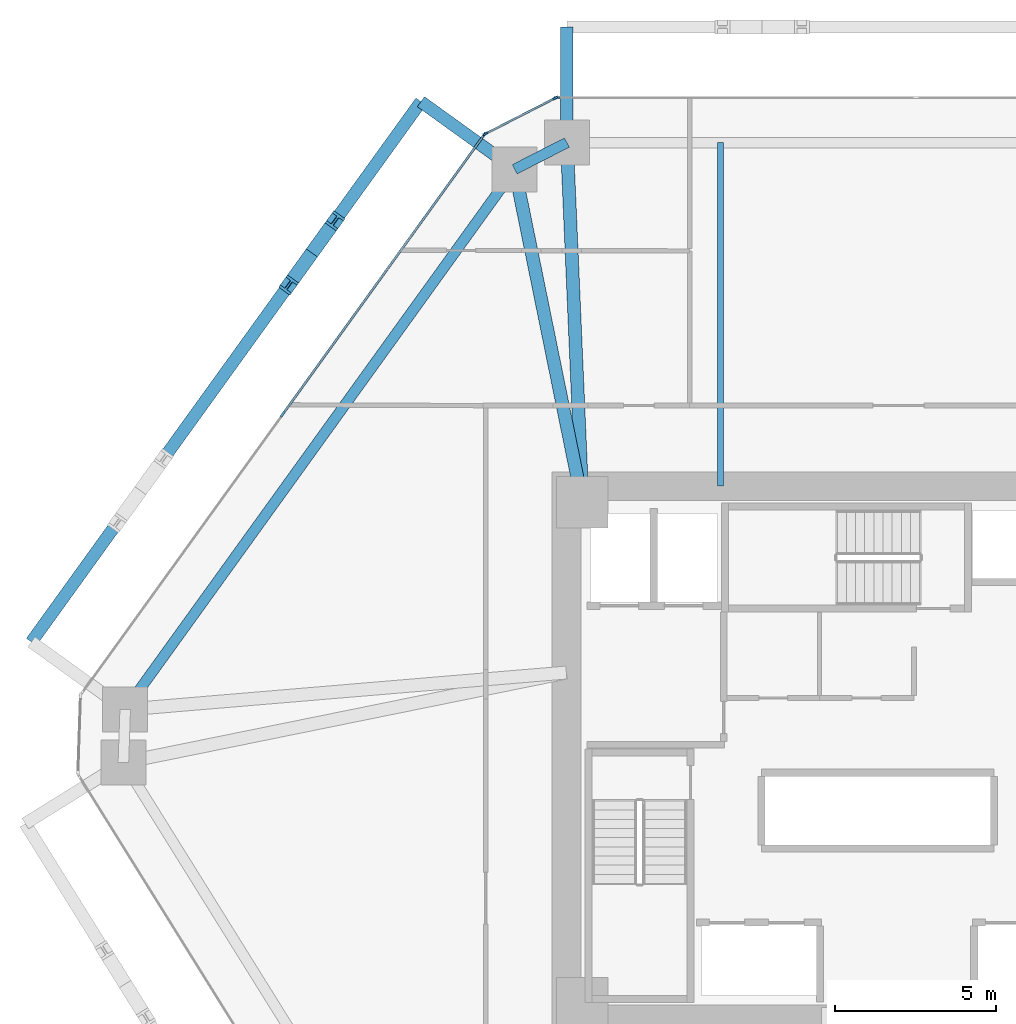
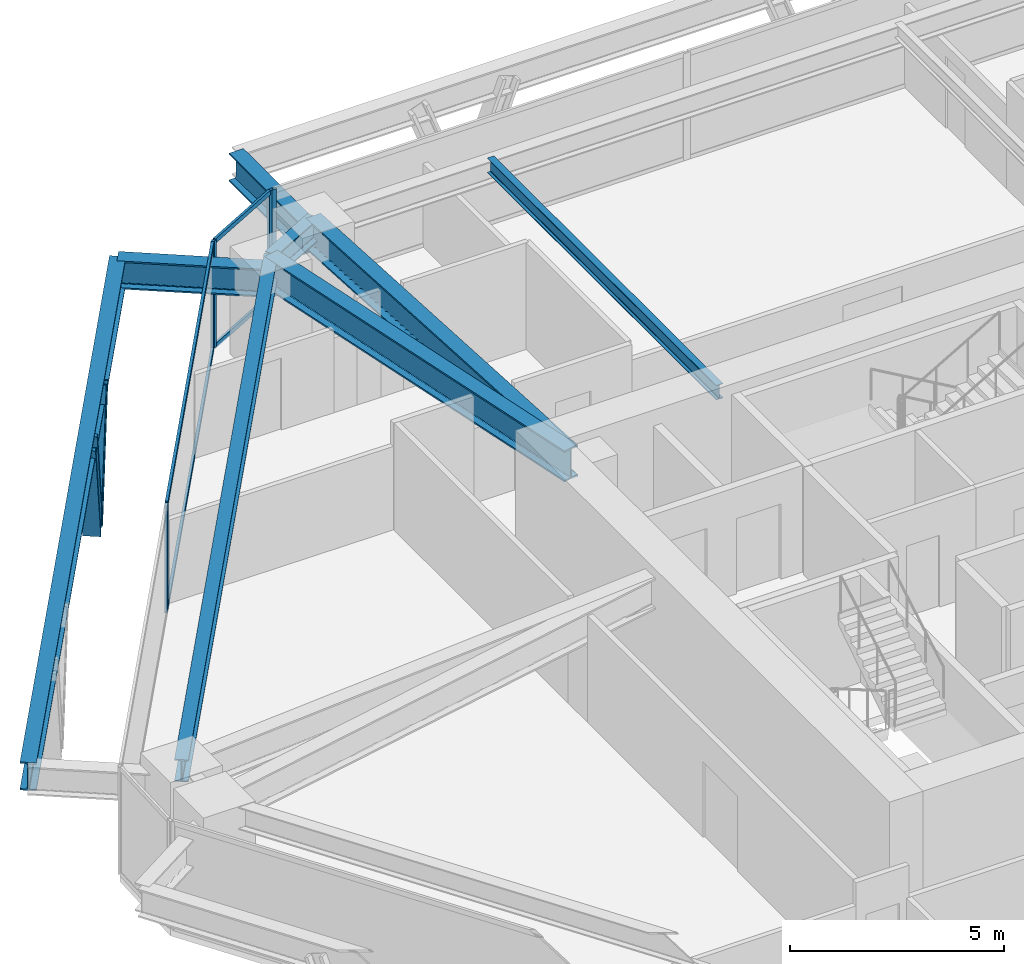
# One storey, part 7 of 15: 11 members, 8 beams, 3 elements without a shape of their own.
"""IFC4 building model written with IfcOpenShell, lengths in metres."""

from ifc_helpers import new_model, si_unit, direction, frame, origin, origin_2d, place, context, subcontext, project, spatial, rectangle, i_section, extrude, source, transform, mapped, material, layer, layer_set, material_profile, profile_set, type_object, type_shapes, element, aggregate, save


model = new_model("IFC4")

# Units and contexts
model_context = context("Model", 3, precision=1e-05, world=origin(), true_north=direction((0.0, 1.0)))
body_context = subcontext(model_context, "Body", "Model", "MODEL_VIEW")
ifc_project = project(units=[si_unit("LENGTHUNIT", "METRE"), si_unit("AREAUNIT", "SQUARE_METRE"), si_unit("VOLUMEUNIT", "CUBIC_METRE"), si_unit("PLANEANGLEUNIT", "RADIAN"), si_unit("MASSUNIT", "GRAM", prefix="KILO")], contexts=[model_context])

# Site, building, storey
site_placement = place(None, origin())
site = spatial("IfcSite", under=ifc_project, at=site_placement, CompositionType="ELEMENT")
building_placement = place(site_placement, origin())
building = spatial("IfcBuilding", under=site, at=building_placement, Name="Durnholm Broadcast Tower", CompositionType="ELEMENT")
storey_placement = place(building_placement, frame((0.0, 0.0, 62.10009765625)))
storey = spatial("IfcBuildingStorey", under=building, at=storey_placement, Name="L15", CompositionType="ELEMENT", Elevation=62.10009765625)

# Beams
ifc_material_1 = material(Name="Steel ASTM A992 Grade 50", Category="steel")
ifc_material_profile_1 = material_profile(ifc_material_1, i_section(OverallWidth=0.3291015625, OverallDepth=0.635009765625, WebThickness=0.017822265625, FlangeThickness=0.031005859375, FilletRadius=0.02783203125, at=origin_2d()), Name="W24X162")
ifc_profile_set_1 = profile_set([ifc_material_profile_1], Name="Steel ASTM A992 Grade 50")
beam_type_1 = type_object("IfcBeamType", Name="STL-SP-W24X162", PredefinedType="SPANDREL", material=ifc_profile_set_1)
shared_shape_1 = source(origin(), body_context, "Body", "SweptSolid", [
    extrude(i_section(OverallWidth=0.3291015625, OverallDepth=0.635009765625, WebThickness=0.017822265625, FlangeThickness=0.031005859375, FilletRadius=0.02783203125, at=origin_2d()), origin(), (0.0, 0.0, 1.0), 20.737060546875),
])
beam_1_placement = place(storey_placement, frame((-24.034912109375, 1.347412109375, 2.727294921875), z_axis=(0.584821933191, 0.811161701795, 0.0), x_axis=(-0.811161701795, 0.584821933191, 0.0)))
element("IfcBeam", 1, at=beam_1_placement, inside=storey, type_object=beam_type_1, Name="L15 perimeter spandrel girder 03", PredefinedType="SPANDREL", context=body_context, shape_type="MappedRepresentation", body=[
    mapped(shared_shape_1, transform((0.0, 0.0, 0.0), x_axis=(1.0, 0.0, 0.0), y_axis=(0.0, 1.0, 0.0), z_axis=(0.0, 0.0, 1.0), scale=1.0)),
])
shared_shape_2 = source(origin(), body_context, "Body", "SweptSolid", [
    extrude(i_section(OverallWidth=0.3291015625, OverallDepth=0.635009765625, WebThickness=0.017822265625, FlangeThickness=0.031005859375, FilletRadius=0.02783203125, at=origin_2d()), origin(), (0.0, 0.0, 1.0), 1.8251953125),
])
type_shapes(beam_type_1, [shared_shape_1, shared_shape_2])
beam_2_placement = place(storey_placement, frame((-11.907470703125, 18.16845703125, 2.727294921875), z_axis=(0.890187609501, 0.455594139438, 0.0), x_axis=(-0.455594139438, 0.890187609501, 0.0)))
element("IfcBeam", 2, at=beam_2_placement, inside=storey, type_object=beam_type_1, Name="L15 perimeter spandrel girder 04", PredefinedType="SPANDREL", context=body_context, shape_type="MappedRepresentation", body=[
    mapped(shared_shape_2, transform((0.0, 0.0, 0.0), x_axis=(1.0, 0.0, 0.0), y_axis=(0.0, 1.0, 0.0), z_axis=(0.0, 0.0, 1.0), scale=1.0)),
])
ifc_material_profile_2 = material_profile(ifc_material_1, i_section(OverallWidth=0.404052734375, OverallDepth=0.885009765625, WebThickness=0.0244140625, FlangeThickness=0.0439453125, FilletRadius=0.03564453125, at=origin_2d()), Name="W33X291")
ifc_profile_set_2 = profile_set([ifc_material_profile_2], Name="Steel ASTM A992 Grade 50")
beam_type_2 = type_object("IfcBeamType", Name="STL-GR-W33X291", PredefinedType="USERDEFINED", material=ifc_profile_set_2)
shared_shape_3 = source(origin(), body_context, "Body", "SweptSolid", [
    extrude(i_section(OverallWidth=0.404052734375, OverallDepth=0.885009765625, WebThickness=0.0244140625, FlangeThickness=0.0439453125, FilletRadius=0.03564453125, at=origin_2d()), origin(), (0.0, 0.0, 1.0), 10.580322265625),
])
beam_3_placement = place(storey_placement, frame((-9.800048828125, 7.800048828125, 2.6025390625), z_axis=(-0.199181458925, 0.979962625012, 0.0), x_axis=(-0.979962625012, -0.199181458925, 0.0)))
element("IfcBeam", 3, at=beam_3_placement, inside=storey, type_object=beam_type_2, Name="L15 radial primary floor girder 04", ObjectType="GIRDER", PredefinedType="USERDEFINED", context=body_context, shape_type="MappedRepresentation", body=[
    mapped(shared_shape_3, transform((0.0, 0.0, 0.0), x_axis=(1.0, 0.0, 0.0), y_axis=(0.0, 1.0, 0.0), z_axis=(0.0, 0.0, 1.0), scale=1.0)),
])
shared_shape_4 = source(origin(), body_context, "Body", "SweptSolid", [
    extrude(i_section(OverallWidth=0.404052734375, OverallDepth=0.885009765625, WebThickness=0.0244140625, FlangeThickness=0.0439453125, FilletRadius=0.03564453125, at=origin_2d()), origin(), (0.0, 0.0, 1.0), 11.21044921875),
])
type_shapes(beam_type_2, [shared_shape_3, shared_shape_4])
beam_4_placement = place(storey_placement, frame((-9.800048828125, 7.800048828125, 2.6025390625), z_axis=(-0.043055404914, 0.999072686098, 0.0), x_axis=(-0.999072686098, -0.043055404914, 0.0)))
element("IfcBeam", 4, at=beam_4_placement, inside=storey, type_object=beam_type_2, Name="L15 radial primary floor girder 05", ObjectType="GIRDER", PredefinedType="USERDEFINED", context=body_context, shape_type="MappedRepresentation", body=[
    mapped(shared_shape_4, transform((0.0, 0.0, 0.0), x_axis=(1.0, 0.0, 0.0), y_axis=(0.0, 1.0, 0.0), z_axis=(0.0, 0.0, 1.0), scale=1.0)),
])
ifc_material_profile_3 = material_profile(ifc_material_1, i_section(OverallWidth=0.180908203125, OverallDepth=0.417236328125, WebThickness=0.010986328125, FlangeThickness=0.018310546875, FilletRadius=0.01904296875, at=origin_2d()), Name="W16X57")
ifc_profile_set_3 = profile_set([ifc_material_profile_3], Name="Steel ASTM A992 Grade 50")
beam_type_3 = type_object("IfcBeamType", Name="STL-BJ-W16X57", PredefinedType="JOIST", material=ifc_profile_set_3)
shared_shape_5 = source(origin(), body_context, "Body", "SweptSolid", [
    extrude(i_section(OverallWidth=0.180908203125, OverallDepth=0.417236328125, WebThickness=0.010986328125, FlangeThickness=0.018310546875, FilletRadius=0.01904296875, at=origin_2d()), origin(), (0.0, 0.0, 1.0), 10.699951171875),
])
type_shapes(beam_type_3, [shared_shape_5])
beam_5_placement = place(storey_placement, frame((-5.5, 8.300048828125, 2.836181640625), z_axis=(0.0, 1.0, 0.0), x_axis=(-1.0, 0.0, 0.0)))
element("IfcBeam", 5, at=beam_5_placement, inside=storey, type_object=beam_type_3, Name="L15 secondary floor joist 3.2", PredefinedType="JOIST", context=body_context, shape_type="MappedRepresentation", body=[
    mapped(shared_shape_5, transform((0.0, 0.0, 0.0), x_axis=(1.0, 0.0, 0.0), y_axis=(0.0, 1.0, 0.0), z_axis=(0.0, 0.0, 1.0), scale=1.0)),
])
ifc_material_profile_4 = material_profile(ifc_material_1, i_section(OverallWidth=0.385009765625, OverallDepth=0.802978515625, WebThickness=0.023681640625, FlangeThickness=0.0419921875, FilletRadius=0.032958984375, at=origin_2d()), Name="W30X261")
ifc_profile_set_4 = profile_set([ifc_material_profile_4], Name="Steel ASTM A992 Grade 50")
beam_type_4 = type_object("IfcBeamType", Name="BM-EXO-TIE", PredefinedType="USERDEFINED", material=ifc_profile_set_4)
shared_shape_6 = source(origin(), body_context, "Body", "SweptSolid", [
    extrude(i_section(OverallWidth=0.385009765625, OverallDepth=0.802978515625, WebThickness=0.023681640625, FlangeThickness=0.0419921875, FilletRadius=0.032958984375, at=origin_2d()), origin(), (0.0, 0.0, 1.0), 3.4560546875),
])
for number, where, z_axis, x_axis, name in (
    (6, (-10.28271484375, 19.14404296875, 2.30859375), (0.0, 1.0, 0.0), (-1.0, 0.0, 0.0), "L15 exoskeleton stand-off tie bracket F4.2"),
    (7, (-12.024169921875, 18.252685546875, 2.30859375), (-0.811157675106, 0.584827518262, 0.0), (-0.584827518262, -0.811157675106, 0.0), "L15 exoskeleton stand-off tie bracket F5.1"),
):
    element("IfcBeam", number, at=place(storey_placement, frame(where, z_axis=z_axis, x_axis=x_axis)), inside=storey, type_object=beam_type_4, Name=name, ObjectType="GIRDER", PredefinedType="USERDEFINED", context=body_context, shape_type="MappedRepresentation", body=[
        mapped(shared_shape_6, transform((0.0, 0.0, 0.0), x_axis=(1.0, 0.0, 0.0), y_axis=(0.0, 1.0, 0.0), z_axis=(0.0, 0.0, 1.0), scale=1.0)),
    ])
shared_shape_7 = source(origin(), body_context, "Body", "SweptSolid", [
    extrude(i_section(OverallWidth=0.385009765625, OverallDepth=0.802978515625, WebThickness=0.023681640625, FlangeThickness=0.0419921875, FilletRadius=0.032958984375, at=origin_2d()), origin(), (0.0, 0.0, 1.0), 20.737060546875),
])
type_shapes(beam_type_4, [shared_shape_6, shared_shape_7])
beam_6_placement = place(storey_placement, frame((-14.82763671875, 20.27392578125, 2.30859375), z_axis=(-0.5848163482, -0.811165728368, 0.0), x_axis=(0.811165728368, -0.5848163482, 0.0)))
element("IfcBeam", 8, at=beam_6_placement, inside=storey, type_object=beam_type_4, Name="L15 exoskeleton collector spandrel F5", PredefinedType="SPANDREL", context=body_context, shape_type="MappedRepresentation", body=[
    mapped(shared_shape_7, transform((0.0, 0.0, 0.0), x_axis=(1.0, 0.0, 0.0), y_axis=(0.0, 1.0, 0.0), z_axis=(0.0, 0.0, 1.0), scale=1.0)),
])

# Members
ifc_material_2 = material(Name="Steel ASTM A913 Grade 65", Category="steel")
ifc_material_profile_5 = material_profile(ifc_material_2, i_section(OverallWidth=0.43212890625, OverallDepth=0.497802734375, WebThickness=0.0556640625, FlangeThickness=0.0888671875, FilletRadius=0.030517578125, at=origin_2d()), Name="W14X500")
ifc_profile_set_5 = profile_set([ifc_material_profile_5], Name="Steel ASTM A913 Grade 65")
member_type_1 = type_object("IfcMemberType", Name="STL-DG-W14X500", PredefinedType="BRACE", material=ifc_profile_set_5)
shared_shape_8 = source(origin(), body_context, "Body", "SweptSolid", [
    extrude(i_section(OverallWidth=0.43212890625, OverallDepth=0.497802734375, WebThickness=0.0556640625, FlangeThickness=0.0888671875, FilletRadius=0.030517578125, at=origin_2d()), origin(), (0.0, 0.0, 1.0), 3.523193359375),
])
type_shapes(member_type_1, [shared_shape_8])
for number, where, z_axis, x_axis, name in (
    (9, (-18.223388671875, 15.56396484375, -0.991455078125), (0.204839138341, 0.284044529113, 0.93667477434), (-0.81109123444, 0.58491966065, 0.0), "L15 stand-off diagrid brace F5.D1.1"),
    (10, (-18.223388671875, 15.56396484375, -0.991455078125), (-0.20477274847, -0.284048560399, 0.936688068046), (0.811185111535, -0.584789461963, 0.0), "L15 stand-off diagrid brace F5.D1.2"),
):
    element("IfcMember", number, at=place(storey_placement, frame(where, z_axis=z_axis, x_axis=x_axis)), inside=storey, type_object=member_type_1, Name=name, PredefinedType="BRACE", context=body_context, shape_type="MappedRepresentation", body=[
        mapped(shared_shape_8, transform((0.0, 0.0, 0.0), x_axis=(1.0, 0.0, 0.0), y_axis=(0.0, 1.0, 0.0), z_axis=(0.0, 0.0, 1.0), scale=1.0)),
    ])

# Curtain wall, members
ifc_material_3 = material(Name="Aluminium and Solar Control IGU", Category="aluminium")
ifc_layer_1 = layer(ifc_material_3, 0.1650390625)
ifc_layer_set_1 = layer_set([ifc_layer_1], Name="Aluminium and Solar Control IGU")
curtain_wall_type_1 = type_object("IfcCurtainWallType", Name="CW-SYS-5", PredefinedType="NOTDEFINED", material=ifc_layer_set_1)
curtain_wall_1_placement = place(storey_placement, origin())
curtain_wall_1 = element("IfcCurtainWall", 11, at=curtain_wall_1_placement, inside=storey, type_object=curtain_wall_type_1, Name="L15 curtain wall CW-CORNER CW-L15-CRN-03", PredefinedType="NOTDEFINED")
ifc_material_4 = material(Name="Aluminium 6063-T6", Category="aluminium")
ifc_material_profile_6 = material_profile(ifc_material_4, rectangle(XDim=0.06494140625, YDim=0.1298828125, at=origin_2d()), Name="CWT65X130")
ifc_profile_set_6 = profile_set([ifc_material_profile_6], Name="Aluminium 6063-T6")
member_type_2 = type_object("IfcMemberType", Name="CW-SYS-5-TRN", PredefinedType="USERDEFINED", material=ifc_profile_set_6)
shared_shape_9 = source(origin(), body_context, "Body", "SweptSolid", [
    extrude(rectangle(XDim=0.06494140625, YDim=0.1298828125, at=origin_2d()), origin(), (0.0, 0.0, 1.0), 2.3701171875),
])
type_shapes(member_type_2, [shared_shape_9])
member_1_placement = place(storey_placement, frame((-12.787841796875, 19.29052734375, 0.032470703125), z_axis=(0.890185016934, 0.455599205033, 0.0), x_axis=(-0.455599205033, 0.890185016934, 0.0)))
member_1 = element("IfcMember", 12, at=member_1_placement, type_object=member_type_2, Name="CW-CORNER transom 1.1", ObjectType="TRANSOM", PredefinedType="USERDEFINED", context=body_context, shape_type="MappedRepresentation", body=[
    mapped(shared_shape_9, transform((0.0, 0.0, 0.0), x_axis=(1.0, 0.0, 0.0), y_axis=(0.0, 1.0, 0.0), z_axis=(0.0, 0.0, 1.0), scale=1.0)),
])
member_2_placement = place(storey_placement, frame((-12.787841796875, 19.29052734375, 3.02734375), z_axis=(0.890185016934, 0.455599205033, 0.0), x_axis=(-0.455599205033, 0.890185016934, 0.0)))
member_2 = element("IfcMember", 13, at=member_2_placement, type_object=member_type_2, Name="CW-CORNER transom 1.2", ObjectType="TRANSOM", PredefinedType="USERDEFINED", context=body_context, shape_type="MappedRepresentation", body=[
    mapped(shared_shape_9, transform((0.0, 0.0, 0.0), x_axis=(1.0, 0.0, 0.0), y_axis=(0.0, 1.0, 0.0), z_axis=(0.0, 0.0, 1.0), scale=1.0)),
])

ifc_layer_2 = layer(ifc_material_3, 0.18994140625)
ifc_layer_set_2 = layer_set([ifc_layer_2], Name="Aluminium and Solar Control IGU")
curtain_wall_type_2 = type_object("IfcCurtainWallType", Name="CW-SYS-3", PredefinedType="NOTDEFINED", material=ifc_layer_set_2)
curtain_wall_2_placement = place(storey_placement, origin())
curtain_wall_2 = element("IfcCurtainWall", 14, at=curtain_wall_2_placement, inside=storey, type_object=curtain_wall_type_2, Name="L15 curtain wall CW-Z12-VIS CW-L15-F02", PredefinedType="NOTDEFINED")
ifc_material_profile_7 = material_profile(ifc_material_4, rectangle(XDim=0.070068359375, YDim=0.14990234375, at=origin_2d()), Name="CWT70X150")
ifc_profile_set_7 = profile_set([ifc_material_profile_7], Name="Aluminium 6063-T6")
member_type_3 = type_object("IfcMemberType", Name="CW-SYS-3-TRN", PredefinedType="USERDEFINED", material=ifc_profile_set_7)
shared_shape_10 = source(origin(), body_context, "Body", "SweptSolid", [
    extrude(rectangle(XDim=0.070068359375, YDim=0.14990234375, at=origin_2d()), origin(), (0.0, 0.0, 1.0), 10.645263671875),
])
type_shapes(member_type_3, [shared_shape_10])
member_3_placement = place(storey_placement, frame((-19.1123046875, 10.569091796875, 0.034912109375), z_axis=(0.584822983179, 0.811160944786, 0.0), x_axis=(-0.811160944786, 0.584822983179, 0.0)))
member_3 = element("IfcMember", 15, at=member_3_placement, type_object=member_type_3, Name="CW-Z12-VIS transom 2.1", ObjectType="TRANSOM", PredefinedType="USERDEFINED", context=body_context, shape_type="MappedRepresentation", body=[
    mapped(shared_shape_10, transform((0.0, 0.0, 0.0), x_axis=(1.0, 0.0, 0.0), y_axis=(0.0, 1.0, 0.0), z_axis=(0.0, 0.0, 1.0), scale=1.0)),
])
member_4_placement = place(storey_placement, frame((-19.1123046875, 10.569091796875, 3.02490234375), z_axis=(0.584822983179, 0.811160944786, 0.0), x_axis=(-0.811160944786, 0.584822983179, 0.0)))
member_4 = element("IfcMember", 16, at=member_4_placement, type_object=member_type_3, Name="CW-Z12-VIS transom 2.2", ObjectType="TRANSOM", PredefinedType="USERDEFINED", context=body_context, shape_type="MappedRepresentation", body=[
    mapped(shared_shape_10, transform((0.0, 0.0, 0.0), x_axis=(1.0, 0.0, 0.0), y_axis=(0.0, 1.0, 0.0), z_axis=(0.0, 0.0, 1.0), scale=1.0)),
])

# Member
ifc_material_profile_8 = material_profile(ifc_material_4, rectangle(XDim=0.06494140625, YDim=0.1650390625, at=origin_2d()), Name="CWM65X165")
ifc_profile_set_8 = profile_set([ifc_material_profile_8], Name="Aluminium 6063-T6")
member_type_4 = type_object("IfcMemberType", Name="CW-SYS-5-MUL", PredefinedType="MULLION", material=ifc_profile_set_8)
shared_shape_11 = source(origin(), body_context, "Body", "SweptSolid", [
    extrude(rectangle(XDim=0.06494140625, YDim=0.1650390625, at=origin_2d()), origin(), (0.0, 0.0, 1.0), 3.059814453125),
])
type_shapes(member_type_4, [shared_shape_11])
member_5_placement = place(storey_placement, frame((-12.816650390625, 19.27587890625, 0.0), z_axis=(0.0, 0.0, 1.0), x_axis=(-0.455593758406, 0.890187804512, 0.0)))
member_5 = element("IfcMember", 17, at=member_5_placement, type_object=member_type_4, Name="CW-CORNER mullion 1", PredefinedType="MULLION", context=body_context, shape_type="MappedRepresentation", body=[
    mapped(shared_shape_11, transform((0.0, 0.0, 0.0), x_axis=(1.0, 0.0, 0.0), y_axis=(0.0, 1.0, 0.0), z_axis=(0.0, 0.0, 1.0), scale=1.0)),
])

member_6_placement = place(storey_placement, frame((-10.649169921875, 20.38525390625, 0.0), z_axis=(0.0, 0.0, 1.0), x_axis=(-0.455593758406, 0.890187804512, 0.0)))
member_6 = element("IfcMember", 18, at=member_6_placement, type_object=member_type_4, Name="CW-CORNER mullion 2", PredefinedType="MULLION", context=body_context, shape_type="MappedRepresentation", body=[
    mapped(shared_shape_11, transform((0.0, 0.0, 0.0), x_axis=(1.0, 0.0, 0.0), y_axis=(0.0, 1.0, 0.0), z_axis=(0.0, 0.0, 1.0), scale=1.0)),
])

aggregate(curtain_wall_1, [member_5, member_6, member_1, member_2])

ifc_material_profile_9 = material_profile(ifc_material_4, rectangle(XDim=0.070068359375, YDim=0.18994140625, at=origin_2d()), Name="CWM70X190")
ifc_profile_set_9 = profile_set([ifc_material_profile_9], Name="Aluminium 6063-T6")
member_type_5 = type_object("IfcMemberType", Name="CW-SYS-3-MUL", PredefinedType="MULLION", material=ifc_profile_set_9)
shared_shape_12 = source(origin(), body_context, "Body", "SweptSolid", [
    extrude(rectangle(XDim=0.070068359375, YDim=0.18994140625, at=origin_2d()), origin(), (0.0, 0.0, 1.0), 3.059814453125),
])
type_shapes(member_type_5, [shared_shape_12])
member_7_placement = place(storey_placement, frame((-19.1328125, 10.540771484375, 0.0), z_axis=(0.0, 0.0, 1.0), x_axis=(-0.81116057493, 0.584823496176, 0.0)))
member_7 = element("IfcMember", 19, at=member_7_placement, type_object=member_type_5, Name="CW-Z12-VIS mullion 2", PredefinedType="MULLION", context=body_context, shape_type="MappedRepresentation", body=[
    mapped(shared_shape_12, transform((0.0, 0.0, 0.0), x_axis=(1.0, 0.0, 0.0), y_axis=(0.0, 1.0, 0.0), z_axis=(0.0, 0.0, 1.0), scale=1.0)),
])

member_8_placement = place(storey_placement, frame((-12.8662109375, 19.232666015625, 0.0), z_axis=(0.0, 0.0, 1.0), x_axis=(-0.81116057493, 0.584823496176, 0.0)))
member_8 = element("IfcMember", 20, at=member_8_placement, type_object=member_type_5, Name="CW-Z12-VIS mullion 3", PredefinedType="MULLION", context=body_context, shape_type="MappedRepresentation", body=[
    mapped(shared_shape_12, transform((0.0, 0.0, 0.0), x_axis=(1.0, 0.0, 0.0), y_axis=(0.0, 1.0, 0.0), z_axis=(0.0, 0.0, 1.0), scale=1.0)),
])

aggregate(curtain_wall_2, [member_7, member_8, member_3, member_4])

# Curtain wall, member
curtain_wall_3_placement = place(storey_placement, origin())
curtain_wall_3 = element("IfcCurtainWall", 21, at=curtain_wall_3_placement, inside=storey, type_object=curtain_wall_type_2, Name="L15 curtain wall CW-Z12-VIS CW-L15-F04", PredefinedType="NOTDEFINED")
member_9_placement = place(storey_placement, frame((-10.585205078125, 20.39990234375, 0.0), z_axis=(0.0, 0.0, 1.0), x_axis=(0.0, 1.0, 0.0)))
member_9 = element("IfcMember", 22, at=member_9_placement, type_object=member_type_5, Name="CW-Z12-VIS mullion 1", PredefinedType="MULLION", context=body_context, shape_type="MappedRepresentation", body=[
    mapped(shared_shape_12, transform((0.0, 0.0, 0.0), x_axis=(1.0, 0.0, 0.0), y_axis=(0.0, 1.0, 0.0), z_axis=(0.0, 0.0, 1.0), scale=1.0)),
])
aggregate(curtain_wall_3, [member_9])

save(model, "model.ifc")
